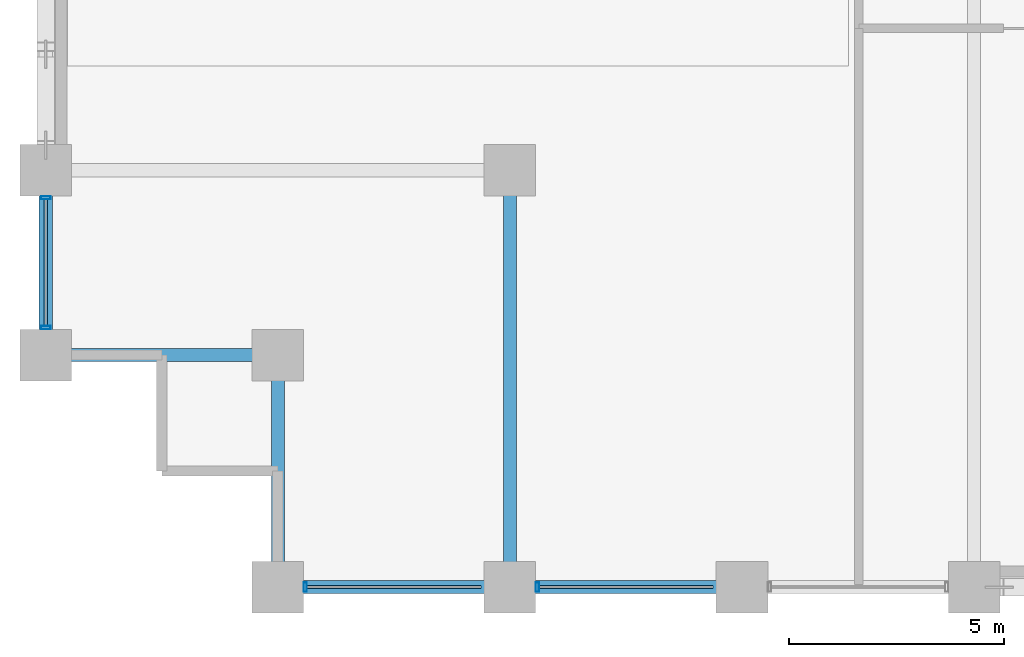
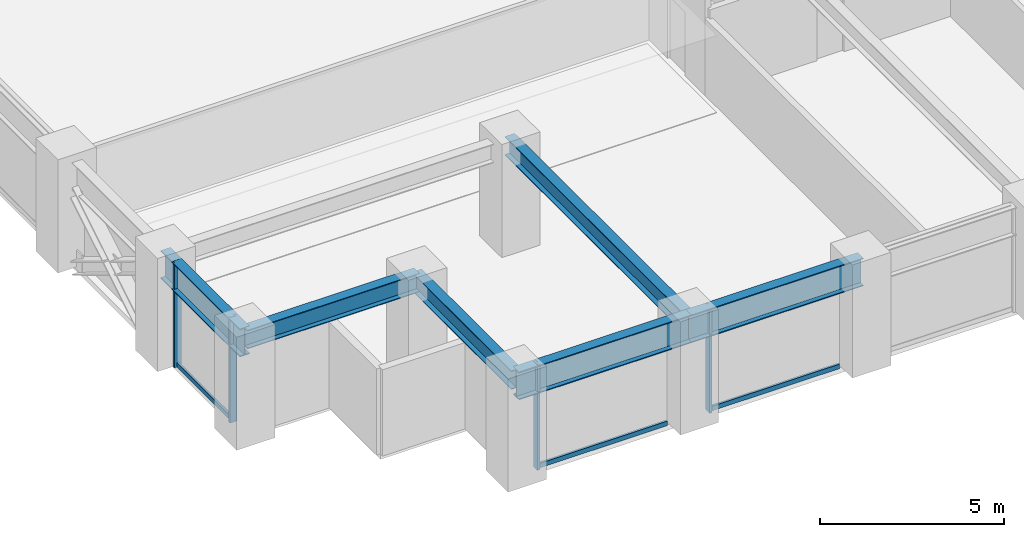
# One storey, part 2 of 26: 7 members, 6 beams, 2 elements without a shape of their own.
"""IFC4 building model written with IfcOpenShell, lengths in metres."""

from ifc_helpers import new_model, si_unit, direction, frame, origin, origin_2d, place, context, subcontext, project, spatial, hollow_rectangle, i_section, extrude, material, layer, layer_set, material_profile, profile_set, type_object, element, aggregate, save


model = new_model("IFC4")

# Units and contexts
model_context = context("Model", 3, precision=1e-05, world=origin(), true_north=direction((0.0, 1.0)))
body_context = subcontext(model_context, "Body", "Model", "MODEL_VIEW")
ifc_project = project(units=[si_unit("LENGTHUNIT", "METRE"), si_unit("AREAUNIT", "SQUARE_METRE"), si_unit("VOLUMEUNIT", "CUBIC_METRE"), si_unit("PLANEANGLEUNIT", "RADIAN"), si_unit("MASSUNIT", "GRAM", prefix="KILO")], contexts=[model_context])

# Site, building, storey
site_placement = place(None, origin())
site = spatial("IfcSite", under=ifc_project, at=site_placement, CompositionType="ELEMENT")
building_placement = place(site_placement, origin())
building = spatial("IfcBuilding", under=site, at=building_placement, Name="Surkhivell Harbour Commons", CompositionType="ELEMENT")
storey_placement = place(building_placement, frame((0.0, 0.0, 75.0)))
storey = spatial("IfcBuildingStorey", under=building, at=storey_placement, Name="L19", CompositionType="ELEMENT", Elevation=75.0)

# Beams
ifc_material_1 = material(Name="Steel S355", Category="steel")
ifc_material_profile_1 = material_profile(ifc_material_1, i_section(OverallWidth=0.306884765625, OverallDepth=0.6201171875, WebThickness=0.01416015625, FlangeThickness=0.023681640625, at=origin_2d()), Name="UB610x305x179")
ifc_profile_set_1 = profile_set([ifc_material_profile_1], Name="Steel S355")
beam_type_1 = type_object("IfcBeamType", Name="BM-GRD-610A", PredefinedType="BEAM", material=ifc_profile_set_1)
for number, where, z_axis, x_axis, name in (
    (1, (-32.39990234375, -20.5, 3.18994140625), (1.0, 0.0, 0.0), (0.0, 1.0, 0.0), "L19 Floor Girder (-32.4,-20.5)"),
    (2, (-27.0, -25.89990234375, 3.18994140625), (0.0, 1.0, 0.0), (-1.0, 0.0, 0.0), "L19 Floor Girder (-27.0,-25.9)"),
):
    element("IfcBeam", number, at=place(storey_placement, frame(where, z_axis=z_axis, x_axis=x_axis)), inside=storey, type_object=beam_type_1, Name=name, PredefinedType="BEAM", context=body_context, shape_type="SweptSolid", body=[
        extrude(i_section(OverallWidth=0.306884765625, OverallDepth=0.6201171875, WebThickness=0.01416015625, FlangeThickness=0.023681640625, at=origin_2d()), origin(), (0.0, 0.0, 1.0), 5.39990234375),
    ])
beam_1_placement = place(storey_placement, frame((-21.60009765625, -25.89990234375, 3.18994140625), z_axis=(0.0, 1.0, 0.0), x_axis=(-1.0, 0.0, 0.0)))
element("IfcBeam", 3, at=beam_1_placement, inside=storey, type_object=beam_type_1, Name="L19 Floor Girder (-21.6,-25.9)", PredefinedType="BEAM", context=body_context, shape_type="SweptSolid", body=[
    extrude(i_section(OverallWidth=0.306884765625, OverallDepth=0.6201171875, WebThickness=0.01416015625, FlangeThickness=0.023681640625, at=origin_2d()), origin(), (0.0, 0.0, 1.0), 9.699951171875),
])
ifc_material_2 = material(Name="Steel S460", Category="steel")
ifc_material_profile_2 = material_profile(ifc_material_2, i_section(OverallWidth=0.30810546875, OverallDepth=0.927001953125, WebThickness=0.01953125, FlangeThickness=0.031982421875, at=origin_2d()), Name="UB914x305x289")
ifc_profile_set_2 = profile_set([ifc_material_profile_2], Name="Steel S460")
beam_type_2 = type_object("IfcBeamType", Name="BM-SPN-914B", PredefinedType="SPANDREL", material=ifc_profile_set_2)
beam_2_placement = place(storey_placement, frame((-32.39990234375, -20.5, 3.03662109375), z_axis=(0.0, 1.0, 0.0), x_axis=(-1.0, 0.0, 0.0)))
element("IfcBeam", 4, at=beam_2_placement, inside=storey, type_object=beam_type_2, Name="L19 Tube Spandrel (-32.4,-20.5)", PredefinedType="SPANDREL", context=body_context, shape_type="SweptSolid", body=[
    extrude(i_section(OverallWidth=0.30810546875, OverallDepth=0.927001953125, WebThickness=0.01953125, FlangeThickness=0.031982421875, at=origin_2d()), origin(), (0.0, 0.0, 1.0), 4.300048828125),
])
beam_3_placement = place(storey_placement, frame((-27.0, -25.89990234375, 3.03662109375), z_axis=(1.0, 0.0, 0.0), x_axis=(0.0, 1.0, 0.0)))
element("IfcBeam", 5, at=beam_3_placement, inside=storey, type_object=beam_type_2, Name="L19 Tube Spandrel (-27.0,-25.9)", PredefinedType="SPANDREL", context=body_context, shape_type="SweptSolid", body=[
    extrude(i_section(OverallWidth=0.30810546875, OverallDepth=0.927001953125, WebThickness=0.01953125, FlangeThickness=0.031982421875, at=origin_2d()), origin(), (0.0, 0.0, 1.0), 5.39990234375),
])
beam_4_placement = place(storey_placement, frame((-21.60009765625, -25.89990234375, 3.03662109375), z_axis=(1.0, 0.0, 0.0), x_axis=(0.0, 1.0, 0.0)))
element("IfcBeam", 6, at=beam_4_placement, inside=storey, type_object=beam_type_2, Name="L19 Tube Spandrel (-21.6,-25.9)", PredefinedType="SPANDREL", context=body_context, shape_type="SweptSolid", body=[
    extrude(i_section(OverallWidth=0.30810546875, OverallDepth=0.927001953125, WebThickness=0.01953125, FlangeThickness=0.031982421875, at=origin_2d()), origin(), (0.0, 0.0, 1.0), 5.400146484375),
])

# Curtain wall, members
ifc_material_3 = material(Name="Anodised pale-metal aluminium and insulated glazing", Category="aluminium")
ifc_layer = layer(ifc_material_3, 0.219970703125)
ifc_layer_set = layer_set([ifc_layer], Name="Anodised pale-metal aluminium and insulated glazing")
curtain_wall_type = type_object("IfcCurtainWallType", Name="CW-SYS-Z1", PredefinedType="NOTDEFINED", material=ifc_layer_set)
curtain_wall_1_placement = place(storey_placement, origin())
curtain_wall_1 = element("IfcCurtainWall", 7, at=curtain_wall_1_placement, inside=storey, type_object=curtain_wall_type, Name="L19 Curtain Wall CW-L19-E00S1", PredefinedType="NOTDEFINED")
ifc_material_4 = material(Name="Anodised pale-metal aluminium alloy 6063-T6", Category="aluminium")
ifc_material_profile_3 = material_profile(ifc_material_4, hollow_rectangle(XDim=0.074951171875, YDim=0.219970703125, WallThickness=0.00390625, at=origin_2d()), Name="ALU-MULL-75x220")
ifc_profile_set_3 = profile_set([ifc_material_profile_3], Name="Anodised pale-metal aluminium alloy 6063-T6")
member_type_1 = type_object("IfcMemberType", Name="CWM-220", PredefinedType="MULLION", material=ifc_profile_set_3)
member_1_placement = place(storey_placement, frame((-26.360595703125, -25.89990234375, 0.0), z_axis=(0.0, 0.0, 1.0), x_axis=(1.0, 0.0, 0.0)))
member_1 = element("IfcMember", 8, at=member_1_placement, type_object=member_type_1, Name="CW-Z1 mullion 1", PredefinedType="MULLION", context=body_context, shape_type="SweptSolid", body=[
    extrude(hollow_rectangle(XDim=0.074951171875, YDim=0.219970703125, WallThickness=0.00390625, at=origin_2d()), origin(), (0.0, 0.0, 1.0), 3.5),
])
member_2_placement = place(storey_placement, frame((-20.96044921875, -25.89990234375, 0.0), z_axis=(0.0, 0.0, 1.0), x_axis=(1.0, 0.0, 0.0)))
member_2 = element("IfcMember", 9, at=member_2_placement, type_object=member_type_1, Name="CW-Z1 mullion 2", PredefinedType="MULLION", context=body_context, shape_type="SweptSolid", body=[
    extrude(hollow_rectangle(XDim=0.074951171875, YDim=0.219970703125, WallThickness=0.00390625, at=origin_2d()), origin(), (0.0, 0.0, 1.0), 3.5),
])

curtain_wall_2_placement = place(storey_placement, origin())
curtain_wall_2 = element("IfcCurtainWall", 10, at=curtain_wall_2_placement, inside=storey, type_object=curtain_wall_type, Name="L19 Curtain Wall CW-L19-E12S2", PredefinedType="NOTDEFINED")
member_3_placement = place(storey_placement, frame((-32.39990234375, -16.839599609375, 0.0), z_axis=(0.0, 0.0, 1.0), x_axis=(0.0, -1.0, 0.0)))
member_3 = element("IfcMember", 11, at=member_3_placement, type_object=member_type_1, Name="CW-Z1 mullion 1", PredefinedType="MULLION", context=body_context, shape_type="SweptSolid", body=[
    extrude(hollow_rectangle(XDim=0.074951171875, YDim=0.219970703125, WallThickness=0.00390625, at=origin_2d()), origin(), (0.0, 0.0, 1.0), 3.5),
])
member_4_placement = place(storey_placement, frame((-32.39990234375, -19.860595703125, 0.0), z_axis=(0.0, 0.0, 1.0), x_axis=(0.0, -1.0, 0.0)))
member_4 = element("IfcMember", 12, at=member_4_placement, type_object=member_type_1, Name="CW-Z1 mullion 2", PredefinedType="MULLION", context=body_context, shape_type="SweptSolid", body=[
    extrude(hollow_rectangle(XDim=0.074951171875, YDim=0.219970703125, WallThickness=0.00390625, at=origin_2d()), origin(), (0.0, 0.0, 1.0), 3.5),
])

# Member
ifc_material_profile_4 = material_profile(ifc_material_4, hollow_rectangle(XDim=0.074951171875, YDim=0.14990234375, WallThickness=0.00341796875, at=origin_2d()), Name="ALU-TRAN-75x150")
ifc_profile_set_4 = profile_set([ifc_material_profile_4], Name="Anodised pale-metal aluminium alloy 6063-T6")
member_type_2 = type_object("IfcMemberType", Name="CWT-150", PredefinedType="USERDEFINED", material=ifc_profile_set_4)
member_5_placement = place(storey_placement, frame((-26.322998046875, -25.89990234375, 0.074951171875), z_axis=(1.0, 0.0, 0.0), x_axis=(0.0, 1.0, 0.0)))
member_5 = element("IfcMember", 13, at=member_5_placement, type_object=member_type_2, Name="CW-Z1 transom 1.1", ObjectType="TRANSOM", PredefinedType="USERDEFINED", context=body_context, shape_type="SweptSolid", body=[
    extrude(hollow_rectangle(XDim=0.074951171875, YDim=0.14990234375, WallThickness=0.00341796875, at=origin_2d()), origin(), (0.0, 0.0, 1.0), 4.0458984375),
])

member_6_placement = place(storey_placement, frame((-20.923095703125, -25.89990234375, 0.074951171875), z_axis=(1.0, 0.0, 0.0), x_axis=(0.0, 1.0, 0.0)))
member_6 = element("IfcMember", 14, at=member_6_placement, type_object=member_type_2, Name="CW-Z1 transom 2.1", ObjectType="TRANSOM", PredefinedType="USERDEFINED", context=body_context, shape_type="SweptSolid", body=[
    extrude(hollow_rectangle(XDim=0.074951171875, YDim=0.14990234375, WallThickness=0.00341796875, at=origin_2d()), origin(), (0.0, 0.0, 1.0), 4.046142578125),
])

aggregate(curtain_wall_1, [member_1, member_5, member_2, member_6])

member_7_placement = place(storey_placement, frame((-32.39990234375, -16.876953125, 0.074951171875), z_axis=(0.0, -1.0, 0.0), x_axis=(1.0, 0.0, 0.0)))
member_7 = element("IfcMember", 15, at=member_7_placement, type_object=member_type_2, Name="CW-Z1 transom 1.1", ObjectType="TRANSOM", PredefinedType="USERDEFINED", context=body_context, shape_type="SweptSolid", body=[
    extrude(hollow_rectangle(XDim=0.074951171875, YDim=0.14990234375, WallThickness=0.00341796875, at=origin_2d()), origin(), (0.0, 0.0, 1.0), 2.946044921875),
])

aggregate(curtain_wall_2, [member_3, member_4, member_7])

save(model, "model.ifc")
